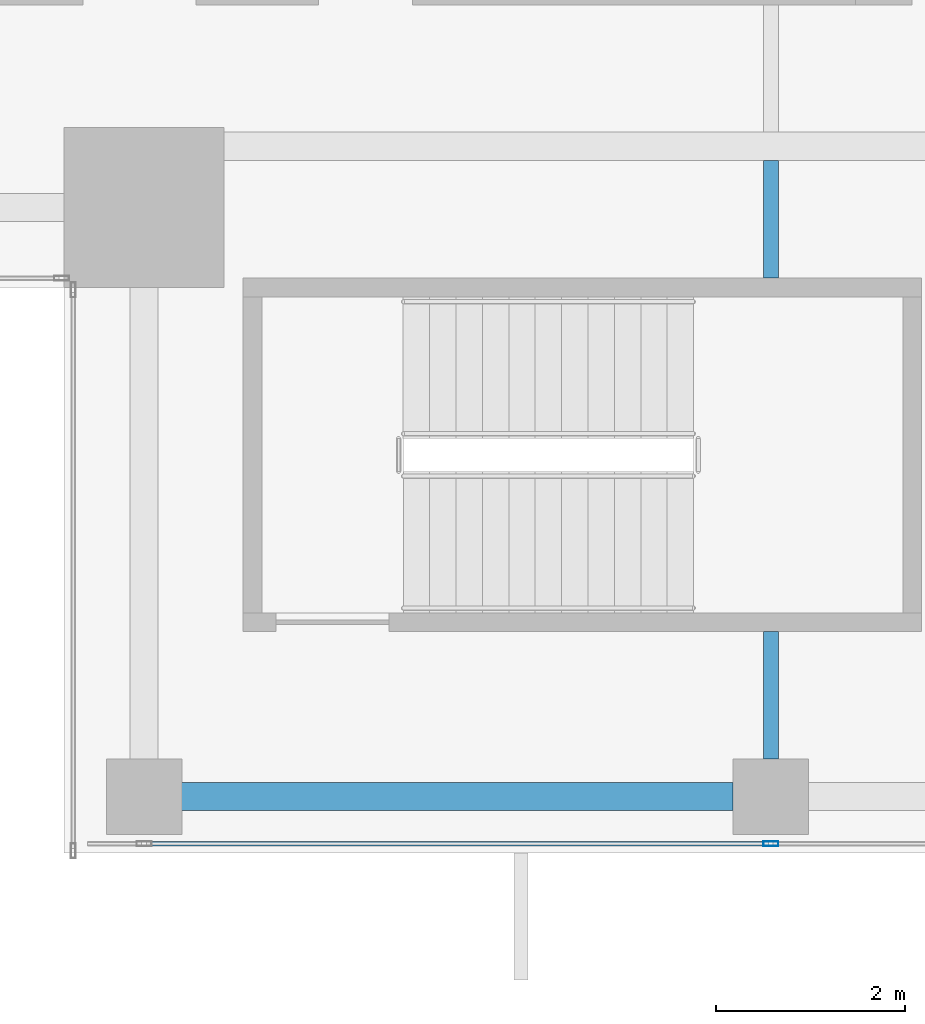
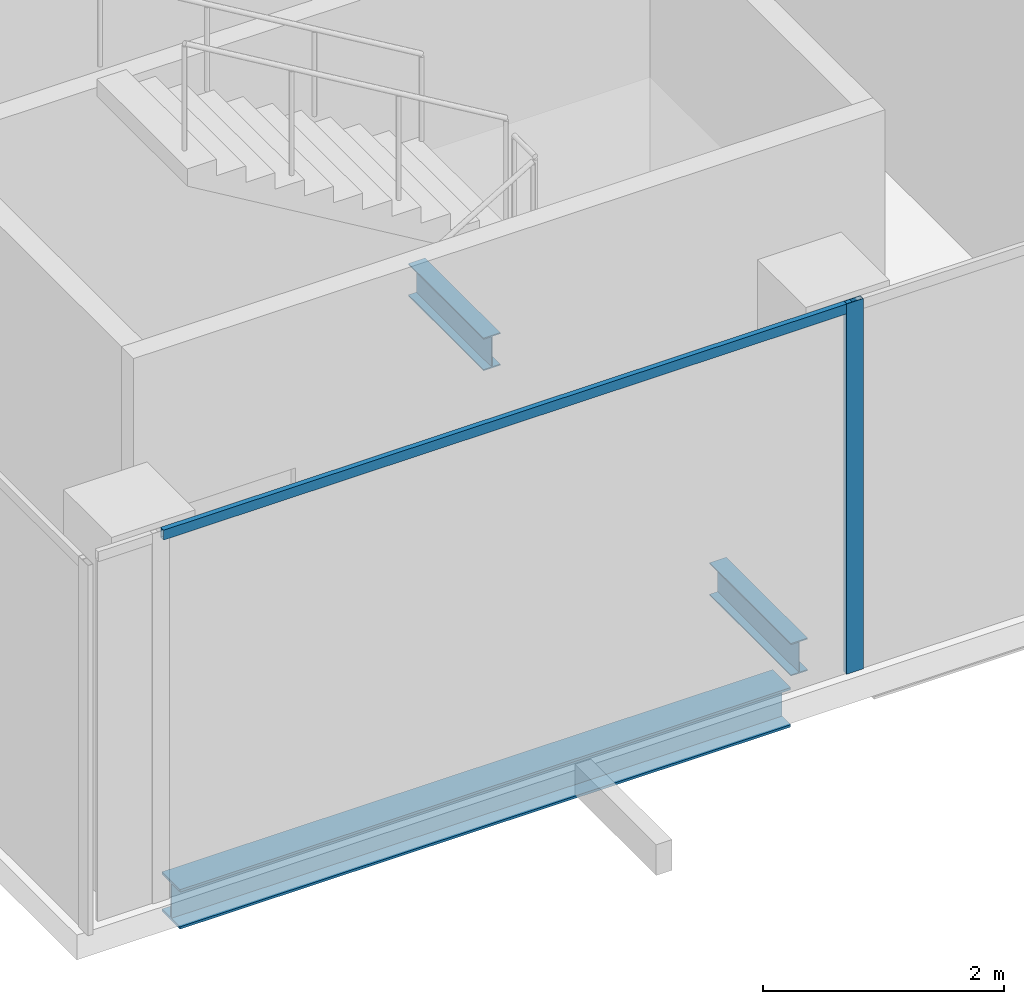
# One storey, part 3 of 29: 3 beams, 2 members, 1 element without a shape of its own.
"""IFC4 building model written with IfcOpenShell, lengths in metres."""

from ifc_helpers import new_model, si_unit, direction, frame, origin, origin_2d, place, context, subcontext, project, spatial, hollow_rectangle, i_section, extrude, source, transform, mapped, material, material_profile, profile_set, type_object, element, aggregate, save


model = new_model("IFC4")

# Units and contexts
model_context = context("Model", 3, precision=1e-05, world=origin(), true_north=direction((0.0, 1.0)))
body_context = subcontext(model_context, "Body", "Model", "MODEL_VIEW")
ifc_project = project(units=[si_unit("LENGTHUNIT", "METRE"), si_unit("AREAUNIT", "SQUARE_METRE"), si_unit("VOLUMEUNIT", "CUBIC_METRE"), si_unit("PLANEANGLEUNIT", "RADIAN"), si_unit("MASSUNIT", "GRAM", prefix="KILO")], contexts=[model_context])

# Site, building, storey
site_placement = place(None, origin())
site = spatial("IfcSite", under=ifc_project, at=site_placement, CompositionType="ELEMENT")
building_placement = place(site_placement, origin())
building = spatial("IfcBuilding", under=site, at=building_placement, Name="Khomas Fold Tower", CompositionType="ELEMENT")
storey_placement = place(building_placement, frame((0.0, 0.0, 290.199951171875)))
storey = spatial("IfcBuildingStorey", under=building, at=storey_placement, Name="L65", CompositionType="ELEMENT", Elevation=290.199951171875)

# Beams
ifc_material_1 = material(Name="Steel S355", Category="steel")
ifc_material_profile_1 = material_profile(ifc_material_1, i_section(OverallWidth=0.159912109375, OverallDepth=0.330078125, WebThickness=0.007568359375, FlangeThickness=0.011474609375, at=origin_2d()), Name="IPE 330")
ifc_profile_set_1 = profile_set([ifc_material_profile_1], Name="Steel S355")
beam_type_1 = type_object("IfcBeamType", Name="IPE 330 beam JB1", PredefinedType="BEAM", material=ifc_profile_set_1)
shared_shape_1 = source(origin(), body_context, "Body", "SweptSolid", [
    extrude(i_section(OverallWidth=0.159912109375, OverallDepth=0.330078125, WebThickness=0.007568359375, FlangeThickness=0.011474609375, at=origin_2d()), origin(), (0.0, 0.0, 1.0), 1.25),
])
beam_1_placement = place(storey_placement, frame((19.5, 12.10009765625, -0.4150390625), z_axis=(0.0, 1.0, 0.0), x_axis=(-1.0, 0.0, 0.0)))
element("IfcBeam", 1, at=beam_1_placement, inside=storey, type_object=beam_type_1, Name="JB1", PredefinedType="BEAM", context=body_context, shape_type="MappedRepresentation", body=[
    mapped(shared_shape_1, transform((0.0, 0.0, 0.0))),
])
shared_shape_2 = source(origin(), body_context, "Body", "SweptSolid", [
    extrude(i_section(OverallWidth=0.159912109375, OverallDepth=0.330078125, WebThickness=0.007568359375, FlangeThickness=0.011474609375, at=origin_2d()), origin(), (0.0, 0.0, 1.0), 1.35009765625),
])
beam_2_placement = place(storey_placement, frame((19.5, 7.0, -0.4150390625), z_axis=(0.0, 1.0, 0.0), x_axis=(-1.0, 0.0, 0.0)))
element("IfcBeam", 2, at=beam_2_placement, inside=storey, type_object=beam_type_1, Name="JB1", PredefinedType="BEAM", context=body_context, shape_type="MappedRepresentation", body=[
    mapped(shared_shape_2, transform((0.0, 0.0, 0.0))),
])
ifc_material_2 = material(Name="Steel S355", Category="steel")
ifc_material_profile_2 = material_profile(ifc_material_2, i_section(OverallWidth=0.300048828125, OverallDepth=0.39990234375, WebThickness=0.013427734375, FlangeThickness=0.02392578125, at=origin_2d()), Name="HE 400 B")
ifc_profile_set_2 = profile_set([ifc_material_profile_2], Name="Steel S355")
beam_type_2 = type_object("IfcBeamType", Name="HE 400 B spandrel SB5", PredefinedType="SPANDREL", material=ifc_profile_set_2)
shared_shape_3 = source(origin(), body_context, "Body", "SweptSolid", [
    extrude(i_section(OverallWidth=0.300048828125, OverallDepth=0.39990234375, WebThickness=0.013427734375, FlangeThickness=0.02392578125, at=origin_2d()), origin(), (0.0, 0.0, 1.0), 5.85009765625),
])
beam_3_placement = place(storey_placement, frame((13.25, 6.60009765625, -0.449951171875), z_axis=(1.0, 0.0, 0.0), x_axis=(0.0, 1.0, 0.0)))
element("IfcBeam", 3, at=beam_3_placement, inside=storey, type_object=beam_type_2, Name="SB5", PredefinedType="SPANDREL", context=body_context, shape_type="MappedRepresentation", body=[
    mapped(shared_shape_3, transform((0.0, 0.0, 0.0))),
])

# Curtain wall, members
ifc_material_3 = material(Name="Aluminium framed double glazing", Category="aluminium")
curtain_wall_type = type_object("IfcCurtainWallType", Name="SK-Unitised clear-glass wall, upper floors CW3", PredefinedType="NOTDEFINED", material=ifc_material_3)
curtain_wall_placement = place(storey_placement, origin())
curtain_wall = element("IfcCurtainWall", 4, at=curtain_wall_placement, inside=storey, type_object=curtain_wall_type, Name="CW3 run L65 00-0", PredefinedType="NOTDEFINED")
ifc_material_4 = material(Name="Aluminium", Category="aluminium")
ifc_material_profile_3 = material_profile(ifc_material_4, hollow_rectangle(XDim=0.050048828125, YDim=0.159912109375, WallThickness=0.00390625, at=origin_2d()), Name="SK-Unitised clear-glass wall, upper floors mullion CW3-M")
ifc_profile_set_3 = profile_set([ifc_material_profile_3], Name="Aluminium")
member_type_1 = type_object("IfcMemberType", Name="SK-Unitised clear-glass wall, upper floors mullion CW3-M", PredefinedType="MULLION", material=ifc_profile_set_3)
shared_shape_4 = source(origin(), body_context, "Body", "SweptSolid", [
    extrude(hollow_rectangle(XDim=0.050048828125, YDim=0.159912109375, WallThickness=0.00390625, at=origin_2d()), origin(), (0.0, 0.0, 1.0), 3.75),
])
member_1_placement = place(storey_placement, frame((19.5, 6.10009765625, 0.0), z_axis=(0.0, 0.0, 1.0), x_axis=(0.0, 1.0, 0.0)))
member_1 = element("IfcMember", 5, at=member_1_placement, type_object=member_type_1, Name="CW3 mullion 3", PredefinedType="MULLION", context=body_context, shape_type="MappedRepresentation", body=[
    mapped(shared_shape_4, transform((0.0, 0.0, 0.0))),
])
ifc_material_5 = material(Name="Aluminium", Category="aluminium")
ifc_material_profile_4 = material_profile(ifc_material_5, hollow_rectangle(XDim=0.050048828125, YDim=0.10009765625, WallThickness=0.00390625, at=origin_2d()), Name="SK-Unitised clear-glass wall, upper floors transom CW3-T")
ifc_profile_set_4 = profile_set([ifc_material_profile_4], Name="Aluminium")
member_type_2 = type_object("IfcMemberType", Name="SK-Unitised clear-glass wall, upper floors transom CW3-T", PredefinedType="USERDEFINED", material=ifc_profile_set_4)
shared_shape_5 = source(origin(), body_context, "Body", "SweptSolid", [
    extrude(hollow_rectangle(XDim=0.050048828125, YDim=0.10009765625, WallThickness=0.00390625, at=origin_2d()), origin(), (0.0, 0.0, 1.0), 6.60009765625),
])
member_2_placement = place(storey_placement, frame((12.875, 6.10009765625, 3.699951171875), z_axis=(1.0, 0.0, 0.0), x_axis=(0.0, 1.0, 0.0)))
member_2 = element("IfcMember", 6, at=member_2_placement, type_object=member_type_2, Name="CW3 transom 2", ObjectType="TRANSOM", PredefinedType="USERDEFINED", context=body_context, shape_type="MappedRepresentation", body=[
    mapped(shared_shape_5, transform((0.0, 0.0, 0.0))),
])
aggregate(curtain_wall, [member_1, member_2])

save(model, "model.ifc")
